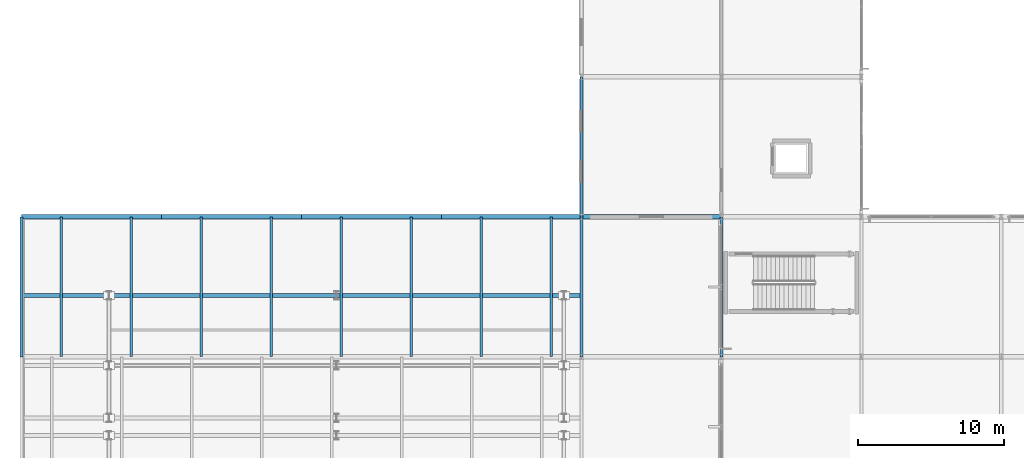
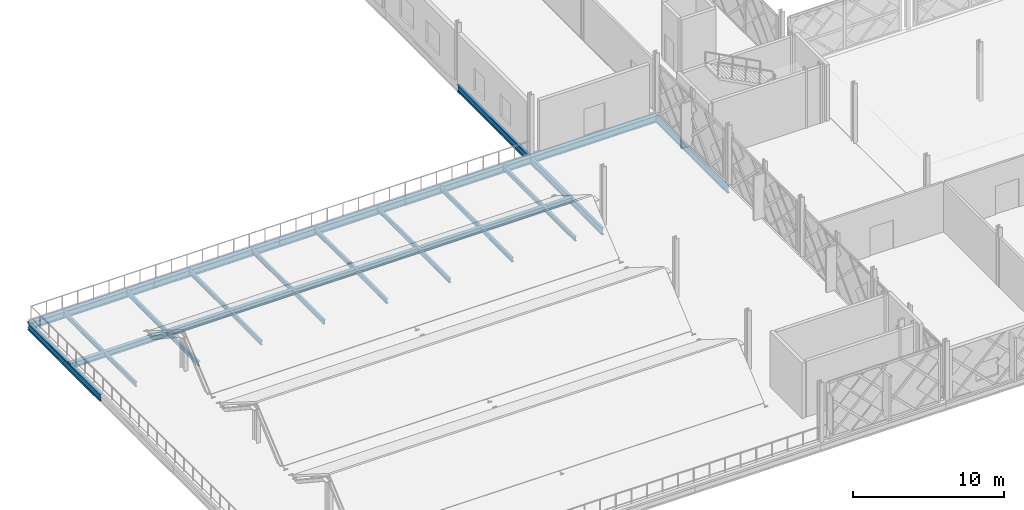
# One storey, part 21 of 77: 18 beams.
"""IFC4 building model written with IfcOpenShell, lengths in metres."""

import ifcopenshell
import ifcopenshell.guid

model = None  # the IFC model being written
_history = None  # IfcOwnerHistory: only IFC2X3 demands one
_inside = {}  # id of a spatial element -> (the spatial element, [elements in it])
_under = {}  # id of a project, library or spatial element -> (it, [spatial elements below it])
_declared = {}  # id of a project -> (the project, [libraries it declares])
_typed = {}  # id of a type object -> (the type object, [elements of that type])
_made_of = {}  # id of a material, layer set ... -> (it, [elements and type objects made of it])


def new_model(schema):
    """Start an empty IFC model of exactly this schema.

    Asked for "IFC4X3", IfcOpenShell would pick the latest addendum, in which some entities
    have other attributes; the version numbers below select the first issue.
    IFC2X3 requires an IfcOwnerHistory on every rooted entity: one is made here for all.
    """
    global model, _history
    if schema == "IFC4X3":
        model = ifcopenshell.file(schema_version=(4, 3, 0, 0))
    else:
        model = ifcopenshell.file(schema=schema)
    _inside.clear()
    _under.clear()
    _declared.clear()
    _typed.clear()
    _made_of.clear()
    _history = None
    if model.schema == "IFC2X3":
        org = make("IfcOrganization", Name="unknown")
        user = make(
            "IfcPersonAndOrganization",
            ThePerson=make("IfcPerson", FamilyName="unknown"),
            TheOrganization=org,
        )
        app = make(
            "IfcApplication",
            ApplicationDeveloper=org,
            Version="unknown",
            ApplicationFullName="unknown",
            ApplicationIdentifier="unknown",
        )
        _history = make(
            "IfcOwnerHistory",
            OwningUser=user,
            OwningApplication=app,
            ChangeAction="ADDED",
            CreationDate=0,
        )
    return model


def make(cls, **values):
    """One entity of the class cls with the attributes given. An attribute that is None is left unset."""
    return model.create_entity(
        cls, **{name: value for name, value in values.items() if value is not None}
    )


def rooted(cls, **values):
    """An entity with a GlobalId (a new one), such as an element, a storey or a relation."""
    return make(cls, GlobalId=ifcopenshell.guid.new(), OwnerHistory=_history, **values)


def si_unit(unit_type, name, prefix=None):
    """IfcSIUnit, for example si_unit("LENGTHUNIT", "METRE", prefix="MILLI")."""
    return make("IfcSIUnit", UnitType=unit_type, Prefix=prefix, Name=name)


def assignment(units):
    """IfcUnitAssignment: the units of a project."""
    return None if units is None else make("IfcUnitAssignment", Units=units)


def point(xyz):
    """IfcCartesianPoint."""
    return None if xyz is None else make("IfcCartesianPoint", Coordinates=xyz)


def direction(xyz):
    """IfcDirection."""
    return None if xyz is None else make("IfcDirection", DirectionRatios=xyz)


def frame(location, z_axis=None, x_axis=None):
    """IfcAxis2Placement3D, a coordinate frame: its origin and axes. An axis left out is left unset."""
    return make(
        "IfcAxis2Placement3D",
        Location=point(location),
        Axis=direction(z_axis),
        RefDirection=direction(x_axis),
    )


def frame_2d(location, x_axis=None):
    """IfcAxis2Placement2D, a coordinate frame in the plane: its origin and x axis."""
    return make(
        "IfcAxis2Placement2D", Location=point(location), RefDirection=direction(x_axis)
    )


def origin():
    """The frame at (0, 0, 0) with its axes left unset."""
    return frame((0.0, 0.0, 0.0))


def origin_2d():
    """The frame at (0, 0) in the plane with its x axis left unset."""
    return frame_2d((0.0, 0.0))


def place(relative_to, where):
    """IfcLocalPlacement: puts the frame where relative to a parent placement (None: the world)."""
    return make(
        "IfcLocalPlacement", PlacementRelTo=relative_to, RelativePlacement=where
    )


def context(
    kind, dimensions, precision=None, world=None, true_north=None, identifier=None
):
    """IfcGeometricRepresentationContext, for example the 3D "Model" context."""
    return make(
        "IfcGeometricRepresentationContext",
        ContextIdentifier=identifier,
        ContextType=kind,
        CoordinateSpaceDimension=dimensions,
        Precision=precision,
        WorldCoordinateSystem=world,
        TrueNorth=true_north,
    )


def subcontext(parent, identifier, kind, view, scale=None):
    """IfcGeometricRepresentationSubContext, for example "Body" below "Model"."""
    return make(
        "IfcGeometricRepresentationSubContext",
        ContextIdentifier=identifier,
        ContextType=kind,
        ParentContext=parent,
        TargetScale=scale,
        TargetView=view,
    )


def project(units=None, contexts=None):
    """IfcProject with its units and contexts."""
    return rooted(
        "IfcProject",
        Name="project",
        RepresentationContexts=contexts,
        UnitsInContext=assignment(units),
    )


def spatial(cls, under=None, at=None, **own):
    """A site, building, storey or space (cls), placed at a placement, below another one or the project."""
    s = rooted(cls, ObjectPlacement=at, **own)
    if under is not None:
        _under.setdefault(under.id(), (under, []))[1].append(s)
    return s


def profile(cls, at=None, kind="AREA", **sizes):
    """A parametric profile (cls). Its sizes go by their IFC names, for example OverallWidth=200.0."""
    return make(cls, ProfileType=kind, Position=at, **sizes)


def i_section(**sizes):
    """IfcIShapeProfileDef."""
    return profile("IfcIShapeProfileDef", **sizes)


def extrude(swept, where, along, depth):
    """IfcExtrudedAreaSolid: the profile swept, set in the frame where, extruded along a direction by depth."""
    return make(
        "IfcExtrudedAreaSolid",
        SweptArea=swept,
        Position=where,
        ExtrudedDirection=direction(along),
        Depth=depth,
    )


def shape(context_of_items, identifier, shape_type, items):
    """IfcShapeRepresentation: the items that make up one representation, for example the "Body"."""
    return make(
        "IfcShapeRepresentation",
        ContextOfItems=context_of_items,
        RepresentationIdentifier=identifier,
        RepresentationType=shape_type,
        Items=items,
    )


def material(Name=None, Category=None):
    """IfcMaterial."""
    return make("IfcMaterial", Name=Name, Category=Category)


def material_profile(
    of_material, cross_section, Name=None, Category=None, Priority=None
):
    """IfcMaterialProfile: a cross section and its material."""
    return make(
        "IfcMaterialProfile",
        Name=Name,
        Material=of_material,
        Profile=cross_section,
        Priority=Priority,
        Category=Category,
    )


def profile_set(profiles, Name=None, composite=None):
    """IfcMaterialProfileSet."""
    return make(
        "IfcMaterialProfileSet",
        Name=Name,
        MaterialProfiles=profiles,
        CompositeProfile=composite,
    )


def made_of(thing, what):
    """Note that an element or type object is made of a material, layer set ...; save() writes the relation."""
    if what is not None:
        _made_of.setdefault(what.id(), (what, []))[1].append(thing)
    return thing


def type_object(cls, material=None, **own):
    """A type object (cls), such as IfcWallType, which elements share."""
    return made_of(rooted(cls, **own), material)


def element(
    cls,
    number,
    at=None,
    inside=None,
    cuts=None,
    type_object=None,
    material=None,
    context=None,
    identifier="Body",
    shape_type=None,
    held_by="IfcProductDefinitionShape",
    body=None,
    shapes=None,
    **own,
):
    """One element of the class cls, such as IfcWall. Its Tag is "e" and its number.

    at: its placement. inside: the storey or other place that contains it. cuts: it is an
    opening in that element (IfcRelVoidsElement). A single representation is given by context,
    identifier, shape_type and body (its items); several are given by shapes. held_by: the class
    of the entity that holds the representations. save() writes the other relations.
    """
    e = rooted(cls, Tag="e%d" % number, ObjectPlacement=at, **own)
    if body is not None:
        shapes = [shape(context, identifier, shape_type, body)]
    if shapes is not None:
        e.Representation = make(held_by, Representations=shapes)
    if inside is not None:
        _inside.setdefault(inside.id(), (inside, []))[1].append(e)
    if cuts is not None:
        rooted(
            "IfcRelVoidsElement", RelatingBuildingElement=cuts, RelatedOpeningElement=e
        )
    if type_object is not None:
        _typed.setdefault(type_object.id(), (type_object, []))[1].append(e)
    return made_of(e, material)


def aggregate(whole, parts):
    """IfcRelAggregates: a whole, such as a stair, and the parts it consists of."""
    return rooted("IfcRelAggregates", RelatingObject=whole, RelatedObjects=parts)


def save(model, path):
    """Write the relations noted so far, then the file.

    IfcRelAggregates (storeys below a building ...), IfcRelContainedInSpatialStructure (elements
    in a storey), IfcRelDefinesByType, IfcRelAssociatesMaterial and IfcRelDeclares: one each for
    every whole, place, type object, material and project.
    """
    for whole, parts in _under.values():
        aggregate(whole, parts)
    for where, things in _inside.values():
        rooted(
            "IfcRelContainedInSpatialStructure",
            RelatedElements=things,
            RelatingStructure=where,
        )
    for kind, things in _typed.values():
        rooted("IfcRelDefinesByType", RelatedObjects=things, RelatingType=kind)
    for what, things in _made_of.values():
        rooted("IfcRelAssociatesMaterial", RelatedObjects=things, RelatingMaterial=what)
    for by, libraries in _declared.values():
        rooted("IfcRelDeclares", RelatingContext=by, RelatedDefinitions=libraries)
    model.write(path)


model = new_model("IFC4")

# Units and contexts
model_context = context("Model", 3, precision=1e-05, world=origin(), true_north=direction((0.0, 1.0)))
body_context = subcontext(model_context, "Body", "Model", "MODEL_VIEW")
ifc_project = project(units=[si_unit("LENGTHUNIT", "METRE"), si_unit("AREAUNIT", "SQUARE_METRE"), si_unit("VOLUMEUNIT", "CUBIC_METRE"), si_unit("PLANEANGLEUNIT", "RADIAN"), si_unit("MASSUNIT", "GRAM", prefix="KILO")], contexts=[model_context])

# Site, building, storey
site_placement = place(None, origin())
site = spatial("IfcSite", under=ifc_project, at=site_placement, CompositionType="ELEMENT")
building_placement = place(site_placement, origin())
building = spatial("IfcBuilding", under=site, at=building_placement, Name="Zevrakil Square Congress Hotel", CompositionType="ELEMENT")
storey_placement = place(building_placement, frame((0.0, 0.0, 9.89990234375)))
storey = spatial("IfcBuildingStorey", under=building, at=storey_placement, Name="L03", CompositionType="ELEMENT", Elevation=9.89990234375)

# Beams
ifc_material_1 = material(Name="Steel S355", Category="steel")
ifc_material_profile_1 = material_profile(ifc_material_1, i_section(OverallWidth=0.300048828125, OverallDepth=0.43994140625, WebThickness=0.011474609375, FlangeThickness=0.02099609375, FilletRadius=0.027099609375, at=origin_2d()), Name="HEA 450")
ifc_profile_set_1 = profile_set([ifc_material_profile_1], Name="Steel S355")
beam_type_1 = type_object("IfcBeamType", Name="BM-HEA450", PredefinedType="BEAM", material=ifc_profile_set_1)
beam_1_placement = place(storey_placement, frame((7.199951171875, 40.199951171875, -0.469970703125), z_axis=(1.0, 0.0, 0.0), x_axis=(0.0, 1.0, 0.0)))
element("IfcBeam", 1, at=beam_1_placement, inside=storey, type_object=beam_type_1, Name="Ballroom sawtooth roof support girder BSE-08", PredefinedType="BEAM", context=body_context, shape_type="SweptSolid", body=[
    extrude(i_section(OverallWidth=0.300048828125, OverallDepth=0.43994140625, WebThickness=0.011474609375, FlangeThickness=0.02099609375, FilletRadius=0.027099609375, at=origin_2d()), origin(), (0.0, 0.0, 1.0), 38.400146484375),
])
ifc_material_2 = material(Name="Steel S355", Category="steel")
ifc_material_profile_2 = material_profile(ifc_material_2, i_section(OverallWidth=0.300048828125, OverallDepth=0.5400390625, WebThickness=0.012451171875, FlangeThickness=0.02392578125, FilletRadius=0.027099609375, at=origin_2d()), Name="HEA 550")
ifc_profile_set_2 = profile_set([ifc_material_profile_2], Name="Steel S355")
beam_type_2 = type_object("IfcBeamType", Name="BM-HEA550", PredefinedType="BEAM", material=ifc_profile_set_2)
beam_2_placement = place(storey_placement, frame((7.199951171875, 45.60009765625, -0.52978515625), z_axis=(1.0, 0.0, 0.0), x_axis=(0.0, 1.0, 0.0)))
element("IfcBeam", 2, at=beam_2_placement, inside=storey, type_object=beam_type_2, Name="L03 primary girder BX-1018", PredefinedType="BEAM", context=body_context, shape_type="SweptSolid", body=[
    extrude(i_section(OverallWidth=0.300048828125, OverallDepth=0.5400390625, WebThickness=0.012451171875, FlangeThickness=0.02392578125, FilletRadius=0.027099609375, at=origin_2d()), origin(), (0.0, 0.0, 1.0), 9.60009765625),
])
beam_3_placement = place(storey_placement, frame((16.800048828125, 45.60009765625, -0.52978515625), z_axis=(1.0, 0.0, 0.0), x_axis=(0.0, 1.0, 0.0)))
element("IfcBeam", 3, at=beam_3_placement, inside=storey, type_object=beam_type_2, Name="L03 primary girder BX-1019", PredefinedType="BEAM", context=body_context, shape_type="SweptSolid", body=[
    extrude(i_section(OverallWidth=0.300048828125, OverallDepth=0.5400390625, WebThickness=0.012451171875, FlangeThickness=0.02392578125, FilletRadius=0.027099609375, at=origin_2d()), origin(), (0.0, 0.0, 1.0), 9.599853515625),
])
for number, where, z_axis, x_axis, name in (
    (4, (26.39990234375, 45.60009765625, -0.52978515625), (1.0, 0.0, 0.0), (0.0, 1.0, 0.0), "L03 primary girder BX-1020"),
    (5, (36.0, 45.60009765625, -0.52978515625), (1.0, 0.0, 0.0), (0.0, 1.0, 0.0), "L03 primary girder BX-1021"),
):
    element("IfcBeam", number, at=place(storey_placement, frame(where, z_axis=z_axis, x_axis=x_axis)), inside=storey, type_object=beam_type_2, Name=name, PredefinedType="BEAM", context=body_context, shape_type="SweptSolid", body=[
        extrude(i_section(OverallWidth=0.300048828125, OverallDepth=0.5400390625, WebThickness=0.012451171875, FlangeThickness=0.02392578125, FilletRadius=0.027099609375, at=origin_2d()), origin(), (0.0, 0.0, 1.0), 9.60009765625),
    ])
beam_4_placement = place(storey_placement, frame((45.60009765625, 45.60009765625, -0.52978515625), z_axis=(1.0, 0.0, 0.0), x_axis=(0.0, 1.0, 0.0)))
element("IfcBeam", 6, at=beam_4_placement, inside=storey, type_object=beam_type_2, Name="L03 primary girder BX-1022", PredefinedType="BEAM", context=body_context, shape_type="SweptSolid", body=[
    extrude(i_section(OverallWidth=0.300048828125, OverallDepth=0.5400390625, WebThickness=0.012451171875, FlangeThickness=0.02392578125, FilletRadius=0.027099609375, at=origin_2d()), origin(), (0.0, 0.0, 1.0), 9.599853515625),
])
ifc_material_3 = material(Name="Steel S355", Category="steel")
ifc_material_profile_3 = material_profile(ifc_material_3, i_section(OverallWidth=0.2099609375, OverallDepth=0.550048828125, WebThickness=0.010986328125, FlangeThickness=0.01708984375, FilletRadius=0.02392578125, at=origin_2d()), Name="IPE 550")
ifc_profile_set_3 = profile_set([ifc_material_profile_3], Name="Steel S355")
beam_type_3 = type_object("IfcBeamType", Name="BM-IPE550", PredefinedType="BEAM", material=ifc_profile_set_3)
for number, where, z_axis, x_axis, name in (
    (7, (7.199951171875, 36.0, -0.534912109375), (0.0, 1.0, 0.0), (-1.0, 0.0, 0.0), "L03 primary girder BY-1088"),
    (8, (45.60009765625, 36.0, -0.534912109375), (0.0, 1.0, 0.0), (-1.0, 0.0, 0.0), "L03 primary girder BY-1092"),
):
    element("IfcBeam", number, at=place(storey_placement, frame(where, z_axis=z_axis, x_axis=x_axis)), inside=storey, type_object=beam_type_3, Name=name, PredefinedType="BEAM", context=body_context, shape_type="SweptSolid", body=[
        extrude(i_section(OverallWidth=0.2099609375, OverallDepth=0.550048828125, WebThickness=0.010986328125, FlangeThickness=0.01708984375, FilletRadius=0.02392578125, at=origin_2d()), origin(), (0.0, 0.0, 1.0), 9.60009765625),
    ])
beam_5_placement = place(storey_placement, frame((45.60009765625, 45.60009765625, -0.534912109375), z_axis=(0.0, 1.0, 0.0), x_axis=(-1.0, 0.0, 0.0)))
element("IfcBeam", 9, at=beam_5_placement, inside=storey, type_object=beam_type_3, Name="L03 primary girder BY-1093", PredefinedType="BEAM", context=body_context, shape_type="SweptSolid", body=[
    extrude(i_section(OverallWidth=0.2099609375, OverallDepth=0.550048828125, WebThickness=0.010986328125, FlangeThickness=0.01708984375, FilletRadius=0.02392578125, at=origin_2d()), origin(), (0.0, 0.0, 1.0), 9.599853515625),
])
beam_6_placement = place(storey_placement, frame((55.199951171875, 36.0, -0.534912109375), z_axis=(0.0, 1.0, 0.0), x_axis=(-1.0, 0.0, 0.0)))
element("IfcBeam", 10, at=beam_6_placement, inside=storey, type_object=beam_type_3, Name="L03 primary girder BY-1103", PredefinedType="BEAM", context=body_context, shape_type="SweptSolid", body=[
    extrude(i_section(OverallWidth=0.2099609375, OverallDepth=0.550048828125, WebThickness=0.010986328125, FlangeThickness=0.01708984375, FilletRadius=0.02392578125, at=origin_2d()), origin(), (0.0, 0.0, 1.0), 9.60009765625),
])
ifc_material_4 = material(Name="Steel S355", Category="steel")
ifc_material_profile_4 = material_profile(ifc_material_4, i_section(OverallWidth=0.169921875, OverallDepth=0.360107421875, WebThickness=0.008056640625, FlangeThickness=0.0126953125, FilletRadius=0.01806640625, at=origin_2d()), Name="IPE 360")
ifc_profile_set_4 = profile_set([ifc_material_profile_4], Name="Steel S355")
beam_type_4 = type_object("IfcBeamType", Name="JST-IPE360", PredefinedType="JOIST", material=ifc_profile_set_4)
for number, where, z_axis, x_axis, name in (
    (11, (9.919921875, 36.02001953125, -0.429931640625), (0.0, 1.0, 0.0), (-1.0, 0.0, 0.0), "Ballroom roof garden secondary beam BPR-30"),
    (12, (14.719970703125, 36.02001953125, -0.429931640625), (0.0, 1.0, 0.0), (-1.0, 0.0, 0.0), "Ballroom roof garden secondary beam BPR-31"),
    (13, (19.52001953125, 36.02001953125, -0.429931640625), (0.0, 1.0, 0.0), (-1.0, 0.0, 0.0), "Ballroom roof garden secondary beam BPR-32"),
    (14, (24.320068359375, 36.02001953125, -0.429931640625), (0.0, 1.0, 0.0), (-1.0, 0.0, 0.0), "Ballroom roof garden secondary beam BPR-33"),
    (15, (29.1201171875, 36.02001953125, -0.429931640625), (0.0, 1.0, 0.0), (-1.0, 0.0, 0.0), "Ballroom roof garden secondary beam BPR-34"),
    (16, (33.919921875, 36.02001953125, -0.429931640625), (0.0, 1.0, 0.0), (-1.0, 0.0, 0.0), "Ballroom roof garden secondary beam BPR-35"),
    (17, (38.719970703125, 36.02001953125, -0.429931640625), (0.0, 1.0, 0.0), (-1.0, 0.0, 0.0), "Ballroom roof garden secondary beam BPR-36"),
    (18, (43.52001953125, 36.02001953125, -0.429931640625), (0.0, 1.0, 0.0), (-1.0, 0.0, 0.0), "Ballroom roof garden secondary beam BPR-37"),
):
    element("IfcBeam", number, at=place(storey_placement, frame(where, z_axis=z_axis, x_axis=x_axis)), inside=storey, type_object=beam_type_4, Name=name, PredefinedType="JOIST", context=body_context, shape_type="SweptSolid", body=[
        extrude(i_section(OverallWidth=0.169921875, OverallDepth=0.360107421875, WebThickness=0.008056640625, FlangeThickness=0.0126953125, FilletRadius=0.01806640625, at=origin_2d()), origin(), (0.0, 0.0, 1.0), 9.56005859375),
    ])

save(model, "model.ifc")
